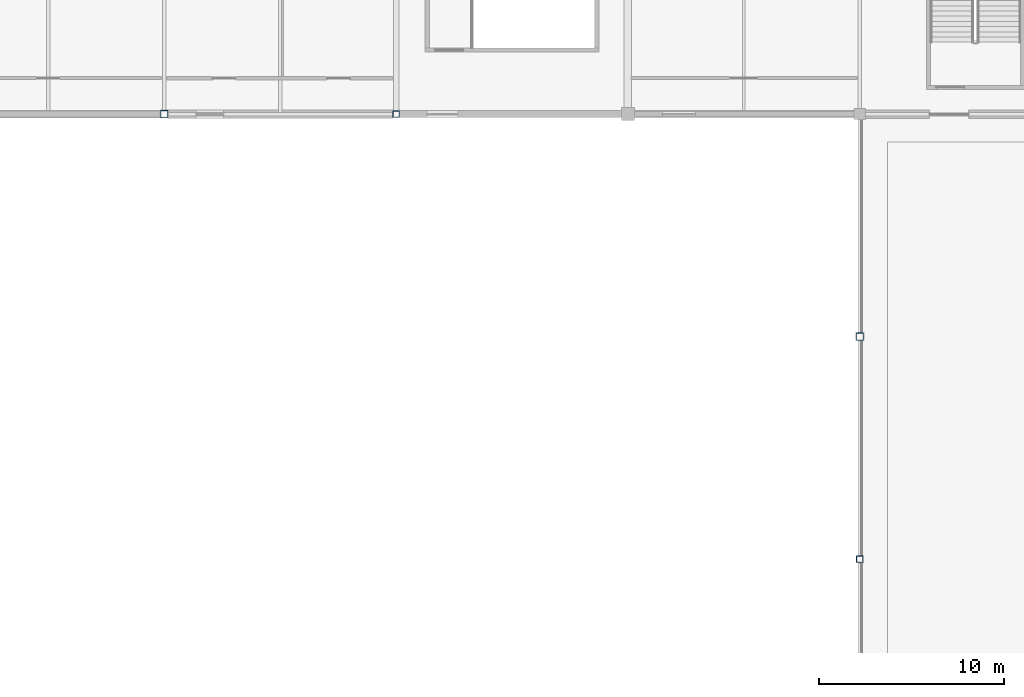
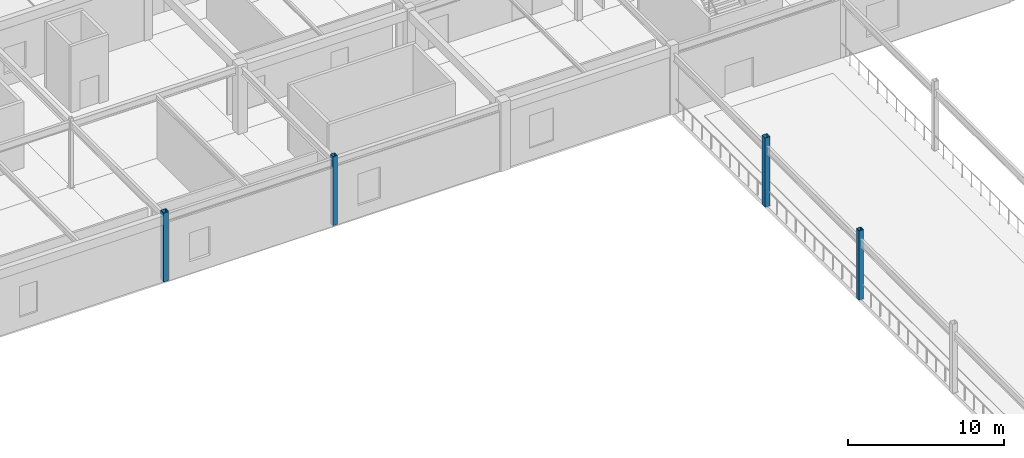
# One storey, part 17 of 105: 4 columns.
"""IFC4 building model written with IfcOpenShell, lengths in metres."""

from ifc_helpers import new_model, si_unit, direction, frame, origin, origin_2d, place, context, subcontext, project, spatial, hollow_rectangle, extrude, material, material_profile, profile_set, type_object, element, save


model = new_model("IFC4")

# Units and contexts
model_context = context("Model", 3, precision=1e-05, world=origin(), true_north=direction((0.0, 1.0)))
body_context = subcontext(model_context, "Body", "Model", "MODEL_VIEW")
ifc_project = project(units=[si_unit("LENGTHUNIT", "METRE"), si_unit("AREAUNIT", "SQUARE_METRE"), si_unit("VOLUMEUNIT", "CUBIC_METRE"), si_unit("PLANEANGLEUNIT", "RADIAN"), si_unit("MASSUNIT", "GRAM", prefix="KILO")], contexts=[model_context])

# Site, building, storey
site_placement = place(None, origin())
site = spatial("IfcSite", under=ifc_project, at=site_placement, CompositionType="ELEMENT")
building_placement = place(site_placement, origin())
building = spatial("IfcBuilding", under=site, at=building_placement, Name="Kazenohara Klinker Stadium", CompositionType="ELEMENT")
storey_placement = place(building_placement, frame((0.0, 0.0, 20.39990234375)))
storey = spatial("IfcBuildingStorey", under=building, at=storey_placement, Name="L04", CompositionType="ELEMENT", Elevation=20.39990234375)

# Columns
ifc_material = material(Name="Steel S355", Category="steel")
ifc_material_profile_1 = material_profile(ifc_material, hollow_rectangle(XDim=0.39990234375, YDim=0.39990234375, WallThickness=0.01611328125, InnerFilletRadius=0.01611328125, OuterFilletRadius=0.031982421875, at=origin_2d()), Name="SHS-400x400x16")
ifc_profile_set_1 = profile_set([ifc_material_profile_1], Name="Steel S355")
column_type_1 = type_object("IfcColumnType", Name="COL-ST01", PredefinedType="COLUMN", material=ifc_profile_set_1)
for number, where, z_axis, x_axis, name in (
    (1, (137.5, 132.0, 0.0), (0.0, 0.0, 1.0), (1.0, 0.0, 0.0), "Column SC01 L04 12/M"),
    (2, (175.0, 120.0, 0.0), (0.0, 0.0, 1.0), (1.0, 0.0, 0.0), "Canopy ring support column SC01 L04 15/L"),
):
    element("IfcColumn", number, at=place(storey_placement, frame(where, z_axis=z_axis, x_axis=x_axis)), inside=storey, type_object=column_type_1, Name=name, PredefinedType="COLUMN", context=body_context, shape_type="SweptSolid", body=[
        extrude(hollow_rectangle(XDim=0.39990234375, YDim=0.39990234375, WallThickness=0.01611328125, InnerFilletRadius=0.01611328125, OuterFilletRadius=0.031982421875, at=origin_2d()), origin(), (0.0, 0.0, 1.0), 5.400146484375),
    ])
ifc_material_profile_2 = material_profile(ifc_material, hollow_rectangle(XDim=0.35009765625, YDim=0.35009765625, WallThickness=0.01611328125, InnerFilletRadius=0.01611328125, OuterFilletRadius=0.031982421875, at=origin_2d()), Name="SHS-350x350x16")
ifc_profile_set_2 = profile_set([ifc_material_profile_2], Name="Steel S355")
column_type_2 = type_object("IfcColumnType", Name="COL-ST02", PredefinedType="COLUMN", material=ifc_profile_set_2)
for number, where, z_axis, x_axis, name in (
    (3, (150.0, 132.0, 0.0), (0.0, 0.0, 1.0), (1.0, 0.0, 0.0), "Column SC02 L04 13/M"),
    (4, (175.0, 108.0, 0.0), (0.0, 0.0, 1.0), (1.0, 0.0, 0.0), "Canopy ring support column SC02 L04 15/K"),
):
    element("IfcColumn", number, at=place(storey_placement, frame(where, z_axis=z_axis, x_axis=x_axis)), inside=storey, type_object=column_type_2, Name=name, PredefinedType="COLUMN", context=body_context, shape_type="SweptSolid", body=[
        extrude(hollow_rectangle(XDim=0.35009765625, YDim=0.35009765625, WallThickness=0.01611328125, InnerFilletRadius=0.01611328125, OuterFilletRadius=0.031982421875, at=origin_2d()), origin(), (0.0, 0.0, 1.0), 5.400146484375),
    ])

save(model, "model.ifc")
